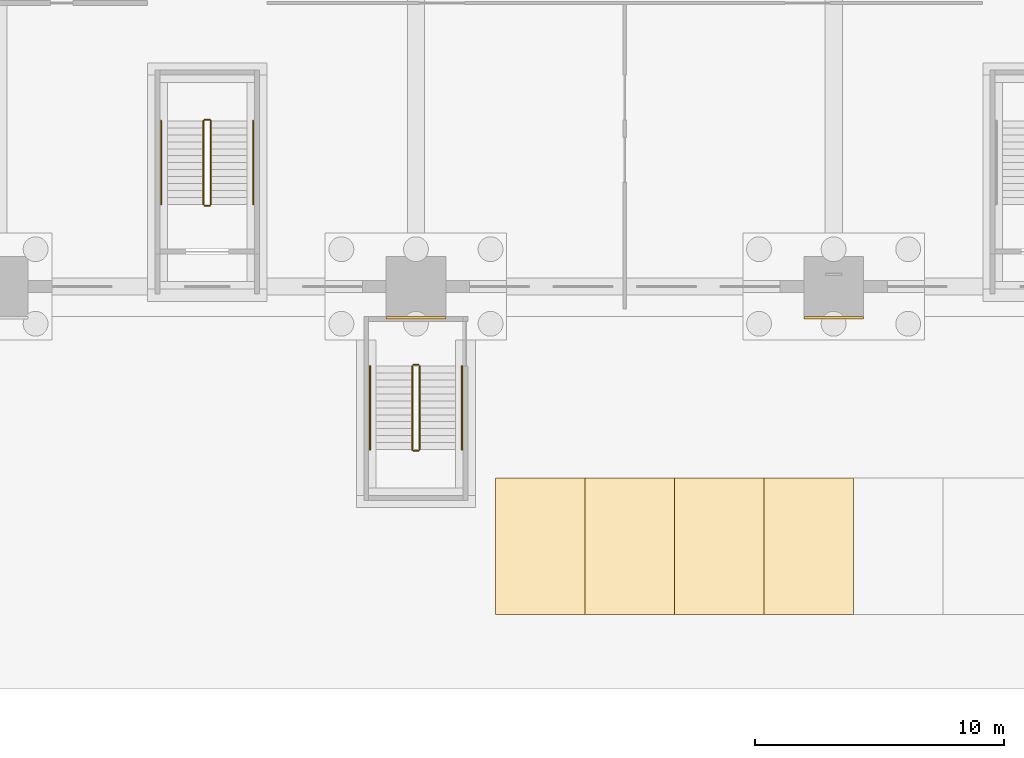
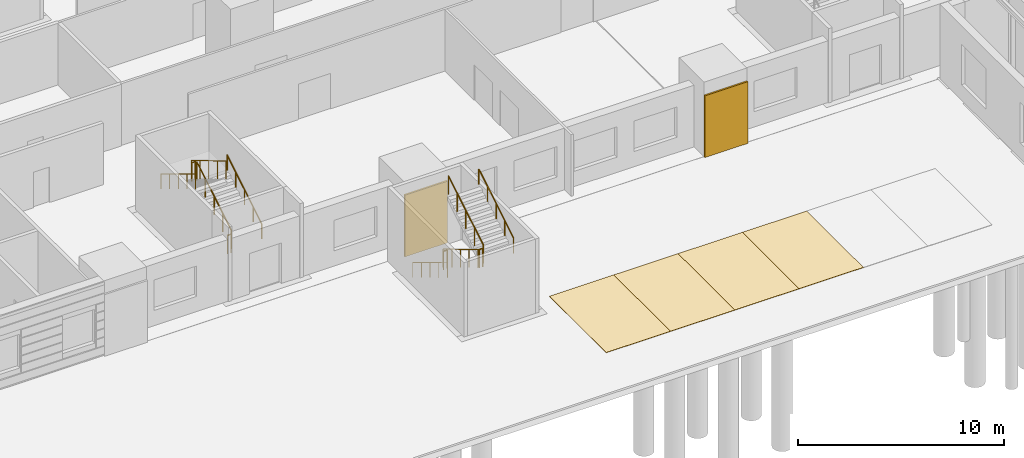
# One storey, part 113 of 139: 12 railings, 6 coverings.
"""IFC4 building model written with IfcOpenShell, lengths in metres."""

from ifc_helpers import new_model, si_unit, direction, frame, origin, origin_2d, place, context, subcontext, project, spatial, polyline, rectangle, circle, outline, extrude, material, layer, layer_set, type_object, element, save


model = new_model("IFC4")

# Units and contexts
model_context = context("Model", 3, precision=1e-05, world=origin(), true_north=direction((0.0, 1.0)))
body_context = subcontext(model_context, "Body", "Model", "MODEL_VIEW")
ifc_project = project(units=[si_unit("LENGTHUNIT", "METRE"), si_unit("AREAUNIT", "SQUARE_METRE"), si_unit("VOLUMEUNIT", "CUBIC_METRE"), si_unit("PLANEANGLEUNIT", "RADIAN"), si_unit("MASSUNIT", "GRAM", prefix="KILO")], contexts=[model_context])

# Site, building, storey
site_placement = place(None, origin())
site = spatial("IfcSite", under=ifc_project, at=site_placement, CompositionType="ELEMENT")
building_placement = place(site_placement, origin())
building = spatial("IfcBuilding", under=site, at=building_placement, Name="Verrick Yard Athletic Hall", CompositionType="ELEMENT")
storey_placement = place(building_placement, origin())
storey = spatial("IfcBuildingStorey", under=building, at=storey_placement, Name="L00", CompositionType="ELEMENT", Elevation=0.0)

# Coverings
ifc_material_1 = material(Name="Rusticated limestone cladding", Category="masonry")
ifc_layer_1 = layer(ifc_material_1, 0.10009765625)
ifc_layer_set_1 = layer_set([ifc_layer_1], Name="Pier base cladding")
covering_type_1 = type_object("IfcCoveringType", Name="Pier base cladding", PredefinedType="CLADDING", material=ifc_layer_set_1)
for number, where, z_axis, x_axis, name in (
    (1, (56.800048828125, 17.949951171875, 0.0), (0.0, 0.0, 1.0), (1.0, 0.0, 0.0), "Pier base S2"),
    (2, (73.60009765625, 17.949951171875, 0.0), (0.0, 0.0, 1.0), (1.0, 0.0, 0.0), "Pier base S3"),
):
    element("IfcCovering", number, at=place(storey_placement, frame(where, z_axis=z_axis, x_axis=x_axis)), inside=storey, type_object=covering_type_1, Name=name, PredefinedType="CLADDING", context=body_context, shape_type="SweptSolid", body=[
        extrude(rectangle(XDim=2.39990234375, YDim=0.10009765625, at=origin_2d()), origin(), (0.0, 0.0, 1.0), 3.64990234375),
    ])
ifc_material_2 = material(Name="Concrete paving 35 MPa", Category="concrete")
ifc_layer_2 = layer(ifc_material_2, 0.10009765625)
ifc_layer_set_2 = layer_set([ifc_layer_2], Name="Site paving")
covering_type_2 = type_object("IfcCoveringType", Name="Site paving", PredefinedType="USERDEFINED", material=ifc_layer_set_2)
covering_1_placement = place(storey_placement, origin())
element("IfcCovering", 3, at=covering_1_placement, inside=storey, type_object=covering_type_2, Name="Accessible parking bay 1", ObjectType="PAVING", PredefinedType="USERDEFINED", context=body_context, shape_type="SweptSolid", body=[
    extrude(outline(polyline([(63.60009765625, 6.0), (63.60009765625, 11.5), (60.0, 11.5), (60.0, 6.0), (63.60009765625, 6.0)])), origin(), (0.0, 0.0, 1.0), 0.02001953125),
])
covering_2_placement = place(storey_placement, origin())
element("IfcCovering", 4, at=covering_2_placement, inside=storey, type_object=covering_type_2, Name="Accessible parking bay 2", ObjectType="PAVING", PredefinedType="USERDEFINED", context=body_context, shape_type="SweptSolid", body=[
    extrude(outline(polyline([(67.199951171875, 6.0), (67.199951171875, 11.5), (63.60009765625, 11.5), (63.60009765625, 6.0), (67.199951171875, 6.0)])), origin(), (0.0, 0.0, 1.0), 0.02001953125),
])
covering_3_placement = place(storey_placement, origin())
element("IfcCovering", 5, at=covering_3_placement, inside=storey, type_object=covering_type_2, Name="Accessible parking bay 3", ObjectType="PAVING", PredefinedType="USERDEFINED", context=body_context, shape_type="SweptSolid", body=[
    extrude(outline(polyline([(70.800048828125, 6.0), (70.800048828125, 11.5), (67.199951171875, 11.5), (67.199951171875, 6.0), (70.800048828125, 6.0)])), origin(), (0.0, 0.0, 1.0), 0.02001953125),
])
covering_4_placement = place(storey_placement, origin())
element("IfcCovering", 6, at=covering_4_placement, inside=storey, type_object=covering_type_2, Name="Accessible parking bay 4", ObjectType="PAVING", PredefinedType="USERDEFINED", context=body_context, shape_type="SweptSolid", body=[
    extrude(outline(polyline([(74.39990234375, 6.0), (74.39990234375, 11.5), (70.800048828125, 11.5), (70.800048828125, 6.0), (74.39990234375, 6.0)])), origin(), (0.0, 0.0, 1.0), 0.02001953125),
])

# Railings
ifc_material_3 = material(Name="Stainless steel", Category="steel")
railing_type_1 = type_object("IfcRailingType", Name="Stair and core guard 1100", PredefinedType="GUARDRAIL", material=ifc_material_3)
railing_1_placement = place(storey_placement, frame((56.64990234375, 16.0, 0.169189453125)))
element("IfcRailing", 7, at=railing_1_placement, inside=storey, type_object=railing_type_1, Name="L00 South deck escape 1 stair guard 1", PredefinedType="GUARDRAIL", context=body_context, shape_type="SweptSolid", body=[
    extrude(circle(Radius=0.02392578125, at=origin_2d()), frame((0.0, 0.0, 1.076171875), z_axis=(0.0, -0.855836976705, 0.517245656632), x_axis=(1.0, 0.0, 0.0)), (0.0, 0.0, 1.0), 3.926025390625),
    extrude(circle(Radius=0.02099609375, at=origin_2d()), origin(), (0.0, 0.0, 1.0), 1.052001953125),
    extrude(circle(Radius=0.02099609375, at=origin_2d()), frame((0.0, -0.840087890625, 0.5078125)), (0.0, 0.0, 1.0), 1.052001953125),
    extrude(circle(Radius=0.02099609375, at=origin_2d()), frame((0.0, -1.68017578125, 1.015380859375)), (0.0, 0.0, 1.0), 1.052001953125),
    extrude(circle(Radius=0.02099609375, at=origin_2d()), frame((0.0, -2.52001953125, 1.52294921875)), (0.0, 0.0, 1.0), 1.052001953125),
    extrude(circle(Radius=0.02099609375, at=origin_2d()), frame((0.0, -3.360107421875, 2.03076171875)), (0.0, 0.0, 1.0), 1.052001953125),
])
railing_2_placement = place(storey_placement, frame((56.699951171875, 12.590087890625, 2.199951171875)))
element("IfcRailing", 8, at=railing_2_placement, inside=storey, type_object=railing_type_1, Name="L00 South deck escape 1 stair guard 2", PredefinedType="GUARDRAIL", context=body_context, shape_type="SweptSolid", body=[
    extrude(circle(Radius=0.02392578125, at=origin_2d()), frame((0.0, 0.0, 1.076171875), z_axis=(1.0, 0.0, 0.0), x_axis=(0.0, 1.0, 0.0)), (0.0, 0.0, 1.0), 0.199951171875),
    extrude(circle(Radius=0.02099609375, at=origin_2d()), origin(), (0.0, 0.0, 1.0), 1.052001953125),
    extrude(circle(Radius=0.02099609375, at=origin_2d()), frame((0.199951171875, 0.0, 0.0)), (0.0, 0.0, 1.0), 1.052001953125),
])
railing_3_placement = place(storey_placement, frame((56.949951171875, 12.639892578125, 2.369140625)))
element("IfcRailing", 9, at=railing_3_placement, inside=storey, type_object=railing_type_1, Name="L00 South deck escape 1 stair guard 3", PredefinedType="GUARDRAIL", context=body_context, shape_type="SweptSolid", body=[
    extrude(circle(Radius=0.02392578125, at=origin_2d()), frame((0.0, 0.0, 1.076171875), z_axis=(0.0, 0.855836976705, 0.517245656632), x_axis=(-1.0, 0.0, 0.0)), (0.0, 0.0, 1.0), 3.926025390625),
    extrude(circle(Radius=0.02099609375, at=origin_2d()), origin(), (0.0, 0.0, 1.0), 1.052001953125),
    extrude(circle(Radius=0.02099609375, at=origin_2d()), frame((0.0, 0.840087890625, 0.5078125)), (0.0, 0.0, 1.0), 1.052001953125),
    extrude(circle(Radius=0.02099609375, at=origin_2d()), frame((0.0, 1.68017578125, 1.015380859375)), (0.0, 0.0, 1.0), 1.052001953125),
    extrude(circle(Radius=0.02099609375, at=origin_2d()), frame((0.0, 2.52001953125, 1.52294921875)), (0.0, 0.0, 1.0), 1.052001953125),
    extrude(circle(Radius=0.02099609375, at=origin_2d()), frame((0.0, 3.360107421875, 2.03076171875)), (0.0, 0.0, 1.0), 1.052001953125),
])
railing_4_placement = place(storey_placement, frame((56.699951171875, 16.050048828125, 0.0)))
element("IfcRailing", 10, at=railing_4_placement, inside=storey, type_object=railing_type_1, Name="L00 South deck escape 1 stair guard 4", PredefinedType="GUARDRAIL", context=body_context, shape_type="SweptSolid", body=[
    extrude(circle(Radius=0.02392578125, at=origin_2d()), frame((0.0, 0.0, 1.076171875), z_axis=(1.0, 0.0, 0.0), x_axis=(0.0, 1.0, 0.0)), (0.0, 0.0, 1.0), 0.199951171875),
    extrude(circle(Radius=0.02099609375, at=origin_2d()), origin(), (0.0, 0.0, 1.0), 1.052001953125),
    extrude(circle(Radius=0.02099609375, at=origin_2d()), frame((0.199951171875, 0.0, 0.0)), (0.0, 0.0, 1.0), 1.052001953125),
])
railing_5_placement = place(storey_placement, frame((48.550048828125, 22.5, 0.169189453125)))
element("IfcRailing", 11, at=railing_5_placement, inside=storey, type_object=railing_type_1, Name="L00 South plinth exit 1 stair guard 1", PredefinedType="GUARDRAIL", context=body_context, shape_type="SweptSolid", body=[
    extrude(circle(Radius=0.02392578125, at=origin_2d()), frame((0.0, 0.0, 1.076171875), z_axis=(0.0, 0.855836976705, 0.517245656632), x_axis=(-1.0, 0.0, 0.0)), (0.0, 0.0, 1.0), 3.926025390625),
    extrude(circle(Radius=0.02099609375, at=origin_2d()), origin(), (0.0, 0.0, 1.0), 1.052001953125),
    extrude(circle(Radius=0.02099609375, at=origin_2d()), frame((0.0, 0.840087890625, 0.5078125)), (0.0, 0.0, 1.0), 1.052001953125),
    extrude(circle(Radius=0.02099609375, at=origin_2d()), frame((0.0, 1.68017578125, 1.015380859375)), (0.0, 0.0, 1.0), 1.052001953125),
    extrude(circle(Radius=0.02099609375, at=origin_2d()), frame((0.0, 2.52001953125, 1.52294921875)), (0.0, 0.0, 1.0), 1.052001953125),
    extrude(circle(Radius=0.02099609375, at=origin_2d()), frame((0.0, 3.360107421875, 2.03076171875)), (0.0, 0.0, 1.0), 1.052001953125),
])
railing_6_placement = place(storey_placement, frame((48.5, 25.909912109375, 2.199951171875)))
element("IfcRailing", 12, at=railing_6_placement, inside=storey, type_object=railing_type_1, Name="L00 South plinth exit 1 stair guard 2", PredefinedType="GUARDRAIL", context=body_context, shape_type="SweptSolid", body=[
    extrude(circle(Radius=0.02392578125, at=origin_2d()), frame((0.0, 0.0, 1.076171875), z_axis=(-1.0, 0.0, 0.0), x_axis=(0.0, -1.0, 0.0)), (0.0, 0.0, 1.0), 0.199951171875),
    extrude(circle(Radius=0.02099609375, at=origin_2d()), origin(), (0.0, 0.0, 1.0), 1.052001953125),
    extrude(circle(Radius=0.02099609375, at=origin_2d()), frame((-0.199951171875, 0.0, 0.0)), (0.0, 0.0, 1.0), 1.052001953125),
])
railing_7_placement = place(storey_placement, frame((48.25, 25.860107421875, 2.369140625)))
element("IfcRailing", 13, at=railing_7_placement, inside=storey, type_object=railing_type_1, Name="L00 South plinth exit 1 stair guard 3", PredefinedType="GUARDRAIL", context=body_context, shape_type="SweptSolid", body=[
    extrude(circle(Radius=0.02392578125, at=origin_2d()), frame((0.0, 0.0, 1.076171875), z_axis=(0.0, -0.855836976705, 0.517245656632), x_axis=(1.0, 0.0, 0.0)), (0.0, 0.0, 1.0), 3.926025390625),
    extrude(circle(Radius=0.02099609375, at=origin_2d()), origin(), (0.0, 0.0, 1.0), 1.052001953125),
    extrude(circle(Radius=0.02099609375, at=origin_2d()), frame((0.0, -0.840087890625, 0.5078125)), (0.0, 0.0, 1.0), 1.052001953125),
    extrude(circle(Radius=0.02099609375, at=origin_2d()), frame((0.0, -1.68017578125, 1.015380859375)), (0.0, 0.0, 1.0), 1.052001953125),
    extrude(circle(Radius=0.02099609375, at=origin_2d()), frame((0.0, -2.52001953125, 1.52294921875)), (0.0, 0.0, 1.0), 1.052001953125),
    extrude(circle(Radius=0.02099609375, at=origin_2d()), frame((0.0, -3.360107421875, 2.03076171875)), (0.0, 0.0, 1.0), 1.052001953125),
])
railing_8_placement = place(storey_placement, frame((48.5, 22.449951171875, 0.0)))
element("IfcRailing", 14, at=railing_8_placement, inside=storey, type_object=railing_type_1, Name="L00 South plinth exit 1 stair guard 4", PredefinedType="GUARDRAIL", context=body_context, shape_type="SweptSolid", body=[
    extrude(circle(Radius=0.02392578125, at=origin_2d()), frame((0.0, 0.0, 1.076171875), z_axis=(-1.0, 0.0, 0.0), x_axis=(0.0, -1.0, 0.0)), (0.0, 0.0, 1.0), 0.199951171875),
    extrude(circle(Radius=0.02099609375, at=origin_2d()), origin(), (0.0, 0.0, 1.0), 1.052001953125),
    extrude(circle(Radius=0.02099609375, at=origin_2d()), frame((-0.199951171875, 0.0, 0.0)), (0.0, 0.0, 1.0), 1.052001953125),
])
railing_type_2 = type_object("IfcRailingType", Name="Stair handrail 900", PredefinedType="HANDRAIL", material=ifc_material_3)
railing_9_placement = place(storey_placement, frame((54.949951171875, 16.0, 0.169189453125)))
element("IfcRailing", 15, at=railing_9_placement, inside=storey, type_object=railing_type_2, Name="L00 South deck escape 1 stair handrail 1", PredefinedType="HANDRAIL", context=body_context, shape_type="SweptSolid", body=[
    extrude(circle(Radius=0.02392578125, at=origin_2d()), frame((0.0, 0.0, 0.8759765625), z_axis=(0.0, -0.855836976705, 0.517245656632), x_axis=(1.0, 0.0, 0.0)), (0.0, 0.0, 1.0), 3.926025390625),
    extrude(circle(Radius=0.02099609375, at=origin_2d()), origin(), (0.0, 0.0, 1.0), 0.851806640625),
    extrude(circle(Radius=0.02099609375, at=origin_2d()), frame((0.0, -0.840087890625, 0.5078125)), (0.0, 0.0, 1.0), 0.851806640625),
    extrude(circle(Radius=0.02099609375, at=origin_2d()), frame((0.0, -1.68017578125, 1.015380859375)), (0.0, 0.0, 1.0), 0.851806640625),
    extrude(circle(Radius=0.02099609375, at=origin_2d()), frame((0.0, -2.52001953125, 1.52294921875)), (0.0, 0.0, 1.0), 0.851806640625),
    extrude(circle(Radius=0.02099609375, at=origin_2d()), frame((0.0, -3.360107421875, 2.03076171875)), (0.0, 0.0, 1.0), 0.851806640625),
])
for number, where, name in (
    (16, (58.64990234375, 12.639892578125, 2.369140625), "L00 South deck escape 1 stair handrail 2"),
    (17, (50.25, 22.5, 0.169189453125), "L00 South plinth exit 1 stair handrail 1"),
):
    element("IfcRailing", number, at=place(storey_placement, frame(where)), inside=storey, type_object=railing_type_2, Name=name, PredefinedType="HANDRAIL", context=body_context, shape_type="SweptSolid", body=[
        extrude(circle(Radius=0.02392578125, at=origin_2d()), frame((0.0, 0.0, 0.8759765625), z_axis=(0.0, 0.855836976705, 0.517245656632), x_axis=(-1.0, 0.0, 0.0)), (0.0, 0.0, 1.0), 3.926025390625),
        extrude(circle(Radius=0.02099609375, at=origin_2d()), origin(), (0.0, 0.0, 1.0), 0.851806640625),
        extrude(circle(Radius=0.02099609375, at=origin_2d()), frame((0.0, 0.840087890625, 0.5078125)), (0.0, 0.0, 1.0), 0.851806640625),
        extrude(circle(Radius=0.02099609375, at=origin_2d()), frame((0.0, 1.68017578125, 1.015380859375)), (0.0, 0.0, 1.0), 0.851806640625),
        extrude(circle(Radius=0.02099609375, at=origin_2d()), frame((0.0, 2.52001953125, 1.52294921875)), (0.0, 0.0, 1.0), 0.851806640625),
        extrude(circle(Radius=0.02099609375, at=origin_2d()), frame((0.0, 3.360107421875, 2.03076171875)), (0.0, 0.0, 1.0), 0.851806640625),
    ])
railing_10_placement = place(storey_placement, frame((46.550048828125, 25.860107421875, 2.369140625)))
element("IfcRailing", 18, at=railing_10_placement, inside=storey, type_object=railing_type_2, Name="L00 South plinth exit 1 stair handrail 2", PredefinedType="HANDRAIL", context=body_context, shape_type="SweptSolid", body=[
    extrude(circle(Radius=0.02392578125, at=origin_2d()), frame((0.0, 0.0, 0.8759765625), z_axis=(0.0, -0.855836976705, 0.517245656632), x_axis=(1.0, 0.0, 0.0)), (0.0, 0.0, 1.0), 3.926025390625),
    extrude(circle(Radius=0.02099609375, at=origin_2d()), origin(), (0.0, 0.0, 1.0), 0.851806640625),
    extrude(circle(Radius=0.02099609375, at=origin_2d()), frame((0.0, -0.840087890625, 0.5078125)), (0.0, 0.0, 1.0), 0.851806640625),
    extrude(circle(Radius=0.02099609375, at=origin_2d()), frame((0.0, -1.68017578125, 1.015380859375)), (0.0, 0.0, 1.0), 0.851806640625),
    extrude(circle(Radius=0.02099609375, at=origin_2d()), frame((0.0, -2.52001953125, 1.52294921875)), (0.0, 0.0, 1.0), 0.851806640625),
    extrude(circle(Radius=0.02099609375, at=origin_2d()), frame((0.0, -3.360107421875, 2.03076171875)), (0.0, 0.0, 1.0), 0.851806640625),
])

save(model, "model.ifc")
